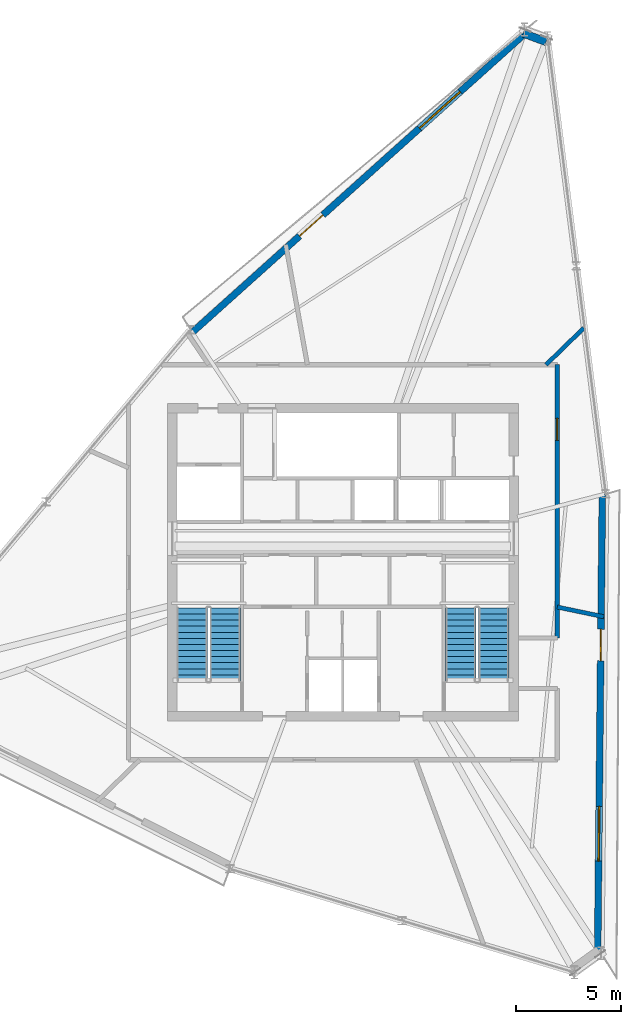
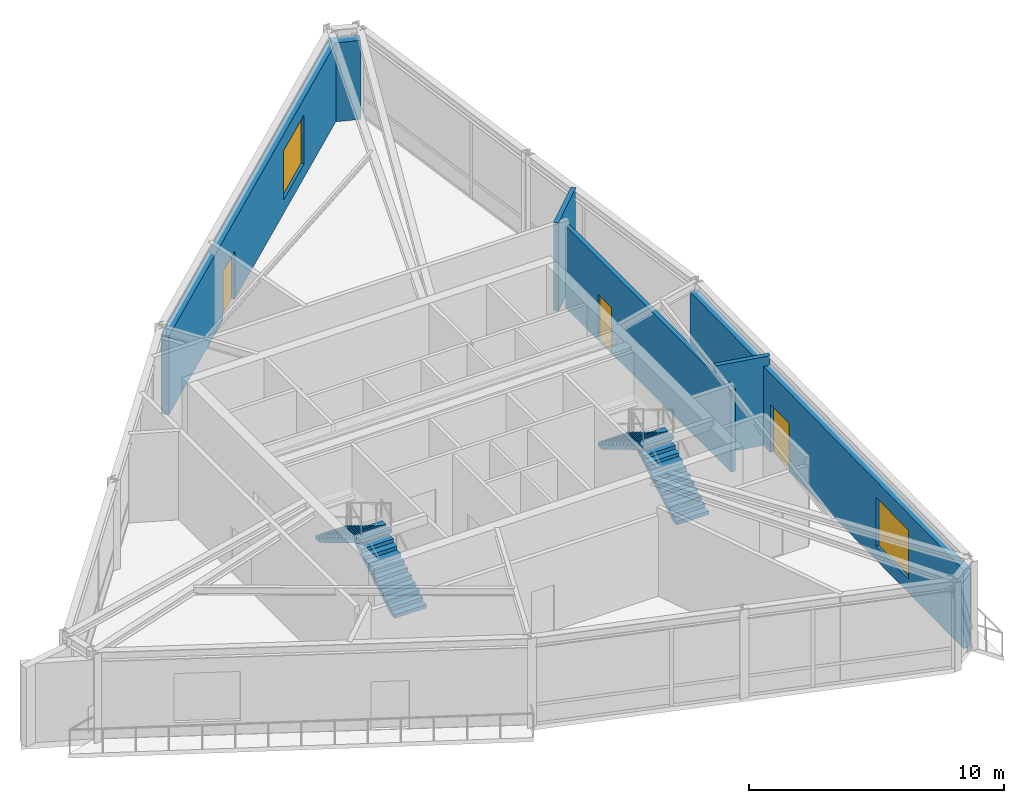
# One storey, part 20 of 23: 6 walls, 4 stair flights, 3 doors, 2 windows, 5 openings, 2 elements without a shape of their own.
"""IFC4 building model written with IfcOpenShell, lengths in metres."""

import ifcopenshell
import ifcopenshell.guid

model = None  # the IFC model being written
_history = None  # IfcOwnerHistory: only IFC2X3 demands one
_inside = {}  # id of a spatial element -> (the spatial element, [elements in it])
_under = {}  # id of a project, library or spatial element -> (it, [spatial elements below it])
_declared = {}  # id of a project -> (the project, [libraries it declares])
_typed = {}  # id of a type object -> (the type object, [elements of that type])
_made_of = {}  # id of a material, layer set ... -> (it, [elements and type objects made of it])


def new_model(schema):
    """Start an empty IFC model of exactly this schema.

    Asked for "IFC4X3", IfcOpenShell would pick the latest addendum, in which some entities
    have other attributes; the version numbers below select the first issue.
    IFC2X3 requires an IfcOwnerHistory on every rooted entity: one is made here for all.
    """
    global model, _history
    if schema == "IFC4X3":
        model = ifcopenshell.file(schema_version=(4, 3, 0, 0))
    else:
        model = ifcopenshell.file(schema=schema)
    _inside.clear()
    _under.clear()
    _declared.clear()
    _typed.clear()
    _made_of.clear()
    _history = None
    if model.schema == "IFC2X3":
        org = make("IfcOrganization", Name="unknown")
        user = make(
            "IfcPersonAndOrganization",
            ThePerson=make("IfcPerson", FamilyName="unknown"),
            TheOrganization=org,
        )
        app = make(
            "IfcApplication",
            ApplicationDeveloper=org,
            Version="unknown",
            ApplicationFullName="unknown",
            ApplicationIdentifier="unknown",
        )
        _history = make(
            "IfcOwnerHistory",
            OwningUser=user,
            OwningApplication=app,
            ChangeAction="ADDED",
            CreationDate=0,
        )
    return model


def make(cls, **values):
    """One entity of the class cls with the attributes given. An attribute that is None is left unset."""
    return model.create_entity(
        cls, **{name: value for name, value in values.items() if value is not None}
    )


def rooted(cls, **values):
    """An entity with a GlobalId (a new one), such as an element, a storey or a relation."""
    return make(cls, GlobalId=ifcopenshell.guid.new(), OwnerHistory=_history, **values)


def si_unit(unit_type, name, prefix=None):
    """IfcSIUnit, for example si_unit("LENGTHUNIT", "METRE", prefix="MILLI")."""
    return make("IfcSIUnit", UnitType=unit_type, Prefix=prefix, Name=name)


def assignment(units):
    """IfcUnitAssignment: the units of a project."""
    return None if units is None else make("IfcUnitAssignment", Units=units)


def point(xyz):
    """IfcCartesianPoint."""
    return None if xyz is None else make("IfcCartesianPoint", Coordinates=xyz)


def direction(xyz):
    """IfcDirection."""
    return None if xyz is None else make("IfcDirection", DirectionRatios=xyz)


def frame(location, z_axis=None, x_axis=None):
    """IfcAxis2Placement3D, a coordinate frame: its origin and axes. An axis left out is left unset."""
    return make(
        "IfcAxis2Placement3D",
        Location=point(location),
        Axis=direction(z_axis),
        RefDirection=direction(x_axis),
    )


def frame_2d(location, x_axis=None):
    """IfcAxis2Placement2D, a coordinate frame in the plane: its origin and x axis."""
    return make(
        "IfcAxis2Placement2D", Location=point(location), RefDirection=direction(x_axis)
    )


def origin():
    """The frame at (0, 0, 0) with its axes left unset."""
    return frame((0.0, 0.0, 0.0))


def place(relative_to, where):
    """IfcLocalPlacement: puts the frame where relative to a parent placement (None: the world)."""
    return make(
        "IfcLocalPlacement", PlacementRelTo=relative_to, RelativePlacement=where
    )


def context(
    kind, dimensions, precision=None, world=None, true_north=None, identifier=None
):
    """IfcGeometricRepresentationContext, for example the 3D "Model" context."""
    return make(
        "IfcGeometricRepresentationContext",
        ContextIdentifier=identifier,
        ContextType=kind,
        CoordinateSpaceDimension=dimensions,
        Precision=precision,
        WorldCoordinateSystem=world,
        TrueNorth=true_north,
    )


def subcontext(parent, identifier, kind, view, scale=None):
    """IfcGeometricRepresentationSubContext, for example "Body" below "Model"."""
    return make(
        "IfcGeometricRepresentationSubContext",
        ContextIdentifier=identifier,
        ContextType=kind,
        ParentContext=parent,
        TargetScale=scale,
        TargetView=view,
    )


def project(units=None, contexts=None):
    """IfcProject with its units and contexts."""
    return rooted(
        "IfcProject",
        Name="project",
        RepresentationContexts=contexts,
        UnitsInContext=assignment(units),
    )


def spatial(cls, under=None, at=None, **own):
    """A site, building, storey or space (cls), placed at a placement, below another one or the project."""
    s = rooted(cls, ObjectPlacement=at, **own)
    if under is not None:
        _under.setdefault(under.id(), (under, []))[1].append(s)
    return s


def polyline(points):
    """IfcPolyline through the points."""
    return make("IfcPolyline", Points=[point(p) for p in points])


def profile(cls, at=None, kind="AREA", **sizes):
    """A parametric profile (cls). Its sizes go by their IFC names, for example OverallWidth=200.0."""
    return make(cls, ProfileType=kind, Position=at, **sizes)


def rectangle(**sizes):
    """IfcRectangleProfileDef."""
    return profile("IfcRectangleProfileDef", **sizes)


def outline(outer, holes=None, kind="AREA"):
    """IfcArbitraryClosedProfileDef: a profile drawn as a closed curve; with holes, ...WithVoids."""
    if holes is None:
        return make("IfcArbitraryClosedProfileDef", ProfileType=kind, OuterCurve=outer)
    return make(
        "IfcArbitraryProfileDefWithVoids",
        ProfileType=kind,
        OuterCurve=outer,
        InnerCurves=holes,
    )


def extrude(swept, where, along, depth):
    """IfcExtrudedAreaSolid: the profile swept, set in the frame where, extruded along a direction by depth."""
    return make(
        "IfcExtrudedAreaSolid",
        SweptArea=swept,
        Position=where,
        ExtrudedDirection=direction(along),
        Depth=depth,
    )


def shape(context_of_items, identifier, shape_type, items):
    """IfcShapeRepresentation: the items that make up one representation, for example the "Body"."""
    return make(
        "IfcShapeRepresentation",
        ContextOfItems=context_of_items,
        RepresentationIdentifier=identifier,
        RepresentationType=shape_type,
        Items=items,
    )


def source(mapping_origin, context_of_items, identifier, shape_type, items):
    """IfcRepresentationMap: a shape defined once, which mapped items show again and again."""
    return make(
        "IfcRepresentationMap",
        MappingOrigin=mapping_origin,
        MappedRepresentation=shape(context_of_items, identifier, shape_type, items),
    )


def transform(
    local_origin,
    x_axis=None,
    y_axis=None,
    z_axis=None,
    scale=None,
    scale2=None,
    scale3=None,
    uniform=True,
):
    """IfcCartesianTransformationOperator3D, or its non-uniform kind. x_axis, y_axis, z_axis: its Axis1, 2, 3."""
    if uniform:
        return make(
            "IfcCartesianTransformationOperator3D",
            Axis1=direction(x_axis),
            Axis2=direction(y_axis),
            LocalOrigin=point(local_origin),
            Scale=scale,
            Axis3=direction(z_axis),
        )
    return make(
        "IfcCartesianTransformationOperator3DnonUniform",
        Axis1=direction(x_axis),
        Axis2=direction(y_axis),
        LocalOrigin=point(local_origin),
        Scale=scale,
        Axis3=direction(z_axis),
        Scale2=scale2,
        Scale3=scale3,
    )


def mapped(mapping_source, mapping_target):
    """IfcMappedItem: shows the shape of a source again, moved by a transform."""
    return make(
        "IfcMappedItem", MappingSource=mapping_source, MappingTarget=mapping_target
    )


def material(Name=None, Category=None):
    """IfcMaterial."""
    return make("IfcMaterial", Name=Name, Category=Category)


def layer(
    of_material, thickness, ventilated=None, Name=None, Category=None, Priority=None
):
    """IfcMaterialLayer: one layer of a wall or slab, of a material (None: an air gap)."""
    return make(
        "IfcMaterialLayer",
        Material=of_material,
        LayerThickness=thickness,
        IsVentilated=ventilated,
        Name=Name,
        Category=Category,
        Priority=Priority,
    )


def layer_set(layers, Name=None):
    """IfcMaterialLayerSet."""
    return make("IfcMaterialLayerSet", MaterialLayers=layers, LayerSetName=Name)


def made_of(thing, what):
    """Note that an element or type object is made of a material, layer set ...; save() writes the relation."""
    if what is not None:
        _made_of.setdefault(what.id(), (what, []))[1].append(thing)
    return thing


def type_object(cls, material=None, **own):
    """A type object (cls), such as IfcWallType, which elements share."""
    return made_of(rooted(cls, **own), material)


def type_shapes(of_type, sources):
    """Give a type object the sources (RepresentationMaps) that its elements show as mapped items."""
    of_type.RepresentationMaps = sources


def element(
    cls,
    number,
    at=None,
    inside=None,
    cuts=None,
    type_object=None,
    material=None,
    context=None,
    identifier="Body",
    shape_type=None,
    held_by="IfcProductDefinitionShape",
    body=None,
    shapes=None,
    **own,
):
    """One element of the class cls, such as IfcWall. Its Tag is "e" and its number.

    at: its placement. inside: the storey or other place that contains it. cuts: it is an
    opening in that element (IfcRelVoidsElement). A single representation is given by context,
    identifier, shape_type and body (its items); several are given by shapes. held_by: the class
    of the entity that holds the representations. save() writes the other relations.
    """
    e = rooted(cls, Tag="e%d" % number, ObjectPlacement=at, **own)
    if body is not None:
        shapes = [shape(context, identifier, shape_type, body)]
    if shapes is not None:
        e.Representation = make(held_by, Representations=shapes)
    if inside is not None:
        _inside.setdefault(inside.id(), (inside, []))[1].append(e)
    if cuts is not None:
        rooted(
            "IfcRelVoidsElement", RelatingBuildingElement=cuts, RelatedOpeningElement=e
        )
    if type_object is not None:
        _typed.setdefault(type_object.id(), (type_object, []))[1].append(e)
    return made_of(e, material)


def fill(opening, filler):
    """IfcRelFillsElement: the door or window that sits in an opening."""
    return rooted(
        "IfcRelFillsElement",
        RelatingOpeningElement=opening,
        RelatedBuildingElement=filler,
    )


def aggregate(whole, parts):
    """IfcRelAggregates: a whole, such as a stair, and the parts it consists of."""
    return rooted("IfcRelAggregates", RelatingObject=whole, RelatedObjects=parts)


def save(model, path):
    """Write the relations noted so far, then the file.

    IfcRelAggregates (storeys below a building ...), IfcRelContainedInSpatialStructure (elements
    in a storey), IfcRelDefinesByType, IfcRelAssociatesMaterial and IfcRelDeclares: one each for
    every whole, place, type object, material and project.
    """
    for whole, parts in _under.values():
        aggregate(whole, parts)
    for where, things in _inside.values():
        rooted(
            "IfcRelContainedInSpatialStructure",
            RelatedElements=things,
            RelatingStructure=where,
        )
    for kind, things in _typed.values():
        rooted("IfcRelDefinesByType", RelatedObjects=things, RelatingType=kind)
    for what, things in _made_of.values():
        rooted("IfcRelAssociatesMaterial", RelatedObjects=things, RelatingMaterial=what)
    for by, libraries in _declared.values():
        rooted("IfcRelDeclares", RelatingContext=by, RelatedDefinitions=libraries)
    model.write(path)


model = new_model("IFC4")

# Units and contexts
model_context = context("Model", 3, precision=1e-05, world=origin(), true_north=direction((0.0, 1.0)))
body_context = subcontext(model_context, "Body", "Model", "MODEL_VIEW")
ifc_project = project(units=[si_unit("LENGTHUNIT", "METRE"), si_unit("AREAUNIT", "SQUARE_METRE"), si_unit("VOLUMEUNIT", "CUBIC_METRE"), si_unit("PLANEANGLEUNIT", "RADIAN"), si_unit("MASSUNIT", "GRAM", prefix="KILO")], contexts=[model_context])

# Site, building, storey
site_placement = place(None, origin())
site = spatial("IfcSite", under=ifc_project, at=site_placement, CompositionType="ELEMENT")
building_placement = place(site_placement, origin())
building = spatial("IfcBuilding", under=site, at=building_placement, Name="Olszyna Solenne Hotel", CompositionType="ELEMENT")
storey_placement = place(building_placement, frame((0.0, 0.0, 290.5)))
storey = spatial("IfcBuildingStorey", under=building, at=storey_placement, Name="L77", CompositionType="ELEMENT", Elevation=290.5)

# Wall, openings, door, window
ifc_material_1 = material(Name="Precast concrete C45/55", Category="concrete")
ifc_layer_1 = layer(ifc_material_1, 0.320068359375, Name="Precast concrete C45/55")
ifc_layer_set_1 = layer_set([ifc_layer_1], Name="Precast concrete C45/55")
wall_type_1 = type_object("IfcWallType", Name="WL-EX320", PredefinedType="SOLIDWALL", material=ifc_layer_set_1)
wall_1_placement = place(storey_placement, frame((50.342041015625, 29.8583984375, 0.0), z_axis=(0.0, 0.0, 1.0), x_axis=(-0.010207538584, -0.999947901721, 0.0)))
wall_1 = element("IfcWall", 1, at=wall_1_placement, inside=storey, type_object=wall_type_1, Name="Exterior terracotta-precast frame wall WL-EX320 EW-L77-01", PredefinedType="SOLIDWALL", context=body_context, shape_type="SweptSolid", body=[
    extrude(rectangle(XDim=21.86083984375, YDim=0.320068359375, at=frame_2d((10.930419921875, 0.0))), origin(), (0.0, 0.0, 1.0), 3.781982421875),
])
opening_1_placement = place(wall_1_placement, frame((6.445068359375, 0.0, 0.0)))
opening_1 = element("IfcOpeningElement", 2, at=opening_1_placement, cuts=wall_1, Name="Opening LDG-L77-3", PredefinedType="OPENING", context=body_context, shape_type="SweptSolid", body=[
    extrude(rectangle(XDim=1.5, YDim=2.300048828125, at=frame_2d((0.75, 1.14990234375))), frame((0.0, 0.169921875, 0.0), z_axis=(0.0, -1.0, 0.0), x_axis=(1.0, 0.0, 0.0)), (0.0, 0.0, 1.0), 0.340087890625),
])
opening_2_placement = place(wall_1_placement, frame((14.876953125, 0.0, 0.64990234375)))
opening_2 = element("IfcOpeningElement", 3, at=opening_2_placement, cuts=wall_1, Name="Opening WN-L77-503", PredefinedType="OPENING", context=body_context, shape_type="SweptSolid", body=[
    extrude(rectangle(XDim=2.60009765625, YDim=2.35009765625, at=frame_2d((1.300048828125, 1.175048828125))), frame((0.0, 0.169921875, 0.0), z_axis=(0.0, -1.0, 0.0), x_axis=(1.0, 0.0, 0.0)), (0.0, 0.0, 1.0), 0.340087890625),
])
ifc_material_2 = material(Name="Anodised bronze aluminium", Category="aluminium")
door_type_1 = type_object("IfcDoorType", Name="DR-LG2", OperationType="DOUBLE_DOOR_SINGLE_SWING", PredefinedType="DOOR", material=ifc_material_2)
shared_shape_1 = source(origin(), body_context, "Body", "SweptSolid", [
    extrude(rectangle(XDim=1.5, YDim=2.300048828125, at=frame_2d((0.75, 1.14990234375))), frame((0.0, 0.02490234375, 0.0), z_axis=(0.0, -1.0, 0.0), x_axis=(1.0, 0.0, 0.0)), (0.0, 0.0, 1.0), 0.050048828125),
])
type_shapes(door_type_1, [shared_shape_1])
door_1_placement = place(opening_1_placement, origin())
door_1 = element("IfcDoor", 4, at=door_1_placement, inside=storey, type_object=door_type_1, Name="Exterior loggia balcony door DR-LG2 LDG-L77-3", OperationType="DOUBLE_DOOR_SINGLE_SWING", OverallHeight=2.300048828125, OverallWidth=1.5, PredefinedType="DOOR", context=body_context, shape_type="MappedRepresentation", body=[
    mapped(shared_shape_1, transform((0.0, 0.0, 0.0), x_axis=(1.0, 0.0, 0.0), y_axis=(0.0, 1.0, 0.0), z_axis=(0.0, 0.0, 1.0), scale=1.0)),
])
fill(opening_1, door_1)
ifc_material_3 = material(Name="Low-E triple glazing", Category="glass")
window_type = type_object("IfcWindowType", Name="WN-ST1", PartitioningType="SINGLE_PANEL", PredefinedType="WINDOW", material=ifc_material_3)
shared_shape_2 = source(origin(), body_context, "Body", "SweptSolid", [
    extrude(rectangle(XDim=2.60009765625, YDim=2.35009765625, at=frame_2d((1.300048828125, 1.175048828125))), frame((0.0, 0.030029296875, 0.0), z_axis=(0.0, -1.0, 0.0), x_axis=(1.0, 0.0, 0.0)), (0.0, 0.0, 1.0), 0.06005859375),
])
type_shapes(window_type, [shared_shape_2])
window_1_placement = place(opening_2_placement, origin())
window_1 = element("IfcWindow", 5, at=window_1_placement, inside=storey, type_object=window_type, Name="Loggia room window WN-ST1 WN-L77-503", OverallHeight=2.35009765625, OverallWidth=2.60009765625, PartitioningType="SINGLE_PANEL", PredefinedType="WINDOW", context=body_context, shape_type="MappedRepresentation", body=[
    mapped(shared_shape_2, transform((0.0, 0.0, 0.0), x_axis=(1.0, 0.0, 0.0), y_axis=(0.0, 1.0, 0.0), z_axis=(0.0, 0.0, 1.0), scale=1.0)),
])
fill(opening_2, window_1)

wall_2_placement = place(storey_placement, frame((30.846923828125, 37.549072265625, 0.0), z_axis=(0.0, 0.0, 1.0), x_axis=(0.743983447959, 0.668198046363, 0.0)))
wall_2 = element("IfcWall", 6, at=wall_2_placement, inside=storey, type_object=wall_type_1, Name="Exterior terracotta-precast frame wall WL-EX320 EW-L77-08", PredefinedType="SOLIDWALL", context=body_context, shape_type="SweptSolid", body=[
    extrude(rectangle(XDim=21.367919921875, YDim=0.320068359375, at=frame_2d((10.68408203125, 0.0))), origin(), (0.0, 0.0, 1.0), 3.781982421875),
])
opening_3_placement = place(wall_2_placement, frame((6.837890625, 0.0, 0.0)))
opening_3 = element("IfcOpeningElement", 7, at=opening_3_placement, cuts=wall_2, Name="Opening LDG-L77-1", PredefinedType="OPENING", context=body_context, shape_type="SweptSolid", body=[
    extrude(rectangle(XDim=1.5, YDim=2.300048828125, at=frame_2d((0.75, 1.14990234375))), frame((0.0, 0.169921875, 0.0), z_axis=(0.0, -1.0, 0.0), x_axis=(1.0, 0.0, 0.0)), (0.0, 0.0, 1.0), 0.340087890625),
])
opening_4_placement = place(wall_2_placement, frame((14.511962890625, 0.0, 0.64990234375)))
opening_4 = element("IfcOpeningElement", 8, at=opening_4_placement, cuts=wall_2, Name="Opening WN-L77-505", PredefinedType="OPENING", context=body_context, shape_type="SweptSolid", body=[
    extrude(rectangle(XDim=2.60009765625, YDim=2.35009765625, at=frame_2d((1.300048828125, 1.175048828125))), frame((0.0, 0.169921875, 0.0), z_axis=(0.0, -1.0, 0.0), x_axis=(1.0, 0.0, 0.0)), (0.0, 0.0, 1.0), 0.340087890625),
])
door_2_placement = place(opening_3_placement, origin())
door_2 = element("IfcDoor", 9, at=door_2_placement, inside=storey, type_object=door_type_1, Name="Exterior loggia balcony door DR-LG2 LDG-L77-1", OperationType="DOUBLE_DOOR_SINGLE_SWING", OverallHeight=2.300048828125, OverallWidth=1.5, PredefinedType="DOOR", context=body_context, shape_type="MappedRepresentation", body=[
    mapped(shared_shape_1, transform((0.0, 0.0, 0.0), x_axis=(1.0, 0.0, 0.0), y_axis=(0.0, 1.0, 0.0), z_axis=(0.0, 0.0, 1.0), scale=1.0)),
])
fill(opening_3, door_2)
window_2_placement = place(opening_4_placement, origin())
window_2 = element("IfcWindow", 10, at=window_2_placement, inside=storey, type_object=window_type, Name="Loggia room window WN-ST1 WN-L77-505", OverallHeight=2.35009765625, OverallWidth=2.60009765625, PartitioningType="SINGLE_PANEL", PredefinedType="WINDOW", context=body_context, shape_type="MappedRepresentation", body=[
    mapped(shared_shape_2, transform((0.0, 0.0, 0.0), x_axis=(1.0, 0.0, 0.0), y_axis=(0.0, 1.0, 0.0), z_axis=(0.0, 0.0, 1.0), scale=1.0)),
])
fill(opening_4, window_2)

# Walls
ifc_material_4 = material(Name="Terracotta cladding on precast concrete C45/55", Category="masonry")
ifc_layer_2 = layer(ifc_material_4, 0.3798828125, Name="Terracotta cladding on precast concrete C45/55")
ifc_layer_set_2 = layer_set([ifc_layer_2], Name="Terracotta cladding on precast concrete C45/55")
wall_type_2 = type_object("IfcWallType", Name="WL-EX380", PredefinedType="SOLIDWALL", material=ifc_layer_set_2)
wall_3_placement = place(storey_placement, frame((46.571533203125, 51.76806640625, 0.0), z_axis=(0.0, 0.0, 1.0), x_axis=(0.937597063116, -0.347723665052, 0.0)))
element("IfcWall", 11, at=wall_3_placement, inside=storey, type_object=wall_type_2, Name="Exterior terracotta-precast frame wall WL-EX380 EW-L77-09", PredefinedType="SOLIDWALL", context=body_context, shape_type="SweptSolid", body=[
    extrude(rectangle(XDim=1.16552734375, YDim=0.3798828125, at=frame_2d((0.582763671875, 0.0))), origin(), (0.0, 0.0, 1.0), 3.781982421875),
])
ifc_material_5 = material(Name="Acoustic gypsum partition", Category="gypsum")
ifc_layer_3 = layer(ifc_material_5, 0.199951171875, Name="Acoustic gypsum partition")
ifc_layer_set_3 = layer_set([ifc_layer_3], Name="Acoustic gypsum partition")
wall_type_3 = type_object("IfcWallType", Name="WL-PT200", PredefinedType="PARTITIONING", material=ifc_layer_set_3)
wall_4_placement = place(storey_placement, frame((48.199951171875, 24.468994140625, 0.0), z_axis=(0.0, 0.0, 1.0), x_axis=(0.978870641426, -0.204480481596, 0.0)))
element("IfcWall", 12, at=wall_4_placement, inside=storey, type_object=wall_type_3, Name="Interior acoustic partition WL-PT200 PW-L77-4186", PredefinedType="PARTITIONING", context=body_context, shape_type="SweptSolid", body=[
    extrude(rectangle(XDim=2.26025390625, YDim=0.199951171875, at=frame_2d((1.130126953125, 0.0))), origin(), (0.0, 0.0, 1.0), 4.239990234375),
])
wall_5_placement = place(storey_placement, frame((47.666259765625, 36.0, 0.0), z_axis=(0.0, 0.0, 1.0), x_axis=(0.716875909167, 0.697200782312, 0.0)))
element("IfcWall", 13, at=wall_5_placement, inside=storey, type_object=wall_type_3, Name="Interior acoustic partition WL-PT200 PW-L77-4187", PredefinedType="PARTITIONING", context=body_context, shape_type="SweptSolid", body=[
    extrude(rectangle(XDim=2.506591796875, YDim=0.199951171875, at=frame_2d((1.25341796875, 0.0))), origin(), (0.0, 0.0, 1.0), 4.239990234375),
])

# Wall, opening, door
wall_6_placement = place(storey_placement, frame((48.199951171875, 23.0, 0.0), z_axis=(0.0, 0.0, 1.0), x_axis=(0.0, 1.0, 0.0)))
wall_6 = element("IfcWall", 14, at=wall_6_placement, inside=storey, type_object=wall_type_3, Name="Interior acoustic partition WL-PT200 PW-L77-4195", PredefinedType="PARTITIONING", context=body_context, shape_type="SweptSolid", body=[
    extrude(rectangle(XDim=13.0, YDim=0.199951171875, at=frame_2d((6.5, 0.0))), origin(), (0.0, 0.0, 1.0), 3.925048828125),
])
opening_5_placement = place(wall_6_placement, frame((9.39306640625, 0.0, 0.0)))
opening_5 = element("IfcOpeningElement", 15, at=opening_5_placement, cuts=wall_6, Name="Opening DR-L77-1014", PredefinedType="OPENING", context=body_context, shape_type="SweptSolid", body=[
    extrude(rectangle(XDim=1.050048828125, YDim=2.199951171875, at=frame_2d((0.52490234375, 1.10009765625))), frame((0.0, 0.10986328125, 0.0), z_axis=(0.0, -1.0, 0.0), x_axis=(1.0, 0.0, 0.0)), (0.0, 0.0, 1.0), 0.219970703125),
])
ifc_material_6 = material(Name="Timber hardwood", Category="wood")
door_type_2 = type_object("IfcDoorType", Name="DR-RM2", OperationType="NOTDEFINED", PredefinedType="DOOR", material=ifc_material_6)
shared_shape_3 = source(origin(), body_context, "Body", "SweptSolid", [
    extrude(rectangle(XDim=1.050048828125, YDim=2.199951171875, at=frame_2d((0.52490234375, 1.10009765625))), frame((0.0, 0.02490234375, 0.0), z_axis=(0.0, -1.0, 0.0), x_axis=(1.0, 0.0, 0.0)), (0.0, 0.0, 1.0), 0.050048828125),
])
type_shapes(door_type_2, [shared_shape_3])
door_3_placement = place(opening_5_placement, origin())
door_3 = element("IfcDoor", 16, at=door_3_placement, inside=storey, type_object=door_type_2, Name="Skywalk Champagne Lounge Entrance Door DR-L77-1014", OperationType="SINGLE_SWING_LEFT", OverallHeight=2.199951171875, OverallWidth=1.050048828125, PredefinedType="DOOR", context=body_context, shape_type="MappedRepresentation", body=[
    mapped(shared_shape_3, transform((0.0, 0.0, 0.0), x_axis=(1.0, 0.0, 0.0), y_axis=(0.0, 1.0, 0.0), z_axis=(0.0, 0.0, 1.0), scale=1.0)),
])
fill(opening_5, door_3)

# Stair, stair flights
ifc_material_7 = material(Name="Concrete C40/50", Category="concrete")
stair_type = type_object("IfcStairType", Name="STR-C1", PredefinedType="TWO_QUARTER_WINDING_STAIR", material=ifc_material_7)
stair_1_placement = place(storey_placement, origin())
stair_1 = element("IfcStair", 17, at=stair_1_placement, inside=storey, type_object=stair_type, Name="L77 ST1", PredefinedType="TWO_QUARTER_WINDING_STAIR")
stair_flight_type = type_object("IfcStairFlightType", Name="FLT-C1", PredefinedType="STRAIGHT", material=ifc_material_7)
stair_flight_1_placement = place(storey_placement, frame((32.39501953125, 20.949951171875, 0.0), z_axis=(0.0, 0.0, 1.0), x_axis=(0.0, 1.0, 0.0)))
stair_flight_1 = element("IfcStairFlight", 18, at=stair_flight_1_placement, type_object=stair_flight_type, Name="ST1 flight 1", NumberOfRisers=13, NumberOfTreads=12, PredefinedType="STRAIGHT", RiserHeight=0.173076923, TreadLength=0.29, context=body_context, shape_type="SweptSolid", body=[
    extrude(outline(polyline([(0.0, 0.0), (0.0, 0.173095703125), (0.2900390625, 0.173095703125), (0.2900390625, 0.34619140625), (0.580078125, 0.34619140625), (0.580078125, 0.519287109375), (0.8701171875, 0.519287109375), (0.8701171875, 0.6923828125), (1.159912109375, 0.6923828125), (1.159912109375, 0.865478515625), (1.449951171875, 0.865478515625), (1.449951171875, 1.03857421875), (1.739990234375, 1.03857421875), (1.739990234375, 1.21142578125), (2.030029296875, 1.21142578125), (2.030029296875, 1.384521484375), (2.320068359375, 1.384521484375), (2.320068359375, 1.5576171875), (2.610107421875, 1.5576171875), (2.610107421875, 1.730712890625), (2.89990234375, 1.730712890625), (2.89990234375, 1.90380859375), (3.18994140625, 1.90380859375), (3.18994140625, 2.076904296875), (3.47998046875, 2.076904296875), (3.47998046875, 2.25), (3.47998046875, 1.90234375), (0.29248046875, 0.0), (0.0, 0.0)])), frame((0.0, 0.72509765625, 0.0), z_axis=(0.0, -1.0, 0.0), x_axis=(1.0, 0.0, 0.0)), (0.0, 0.0, 1.0), 1.449951171875),
])
stair_flight_2_placement = place(storey_placement, frame((30.824951171875, 24.429931640625, 2.25), z_axis=(0.0, 0.0, 1.0), x_axis=(0.0, -1.0, 0.0)))
stair_flight_2 = element("IfcStairFlight", 19, at=stair_flight_2_placement, type_object=stair_flight_type, Name="ST1 flight 2", NumberOfRisers=13, NumberOfTreads=12, PredefinedType="STRAIGHT", RiserHeight=0.173076923, TreadLength=0.29, context=body_context, shape_type="SweptSolid", body=[
    extrude(outline(polyline([(0.0, 0.0), (0.0, 0.173095703125), (0.2900390625, 0.173095703125), (0.2900390625, 0.34619140625), (0.580078125, 0.34619140625), (0.580078125, 0.519287109375), (0.8701171875, 0.519287109375), (0.8701171875, 0.6923828125), (1.159912109375, 0.6923828125), (1.159912109375, 0.865478515625), (1.449951171875, 0.865478515625), (1.449951171875, 1.03857421875), (1.739990234375, 1.03857421875), (1.739990234375, 1.21142578125), (2.030029296875, 1.21142578125), (2.030029296875, 1.384521484375), (2.320068359375, 1.384521484375), (2.320068359375, 1.5576171875), (2.610107421875, 1.5576171875), (2.610107421875, 1.730712890625), (2.89990234375, 1.730712890625), (2.89990234375, 1.90380859375), (3.18994140625, 1.90380859375), (3.18994140625, 2.076904296875), (3.47998046875, 2.076904296875), (3.47998046875, 2.25), (3.47998046875, 1.90234375), (0.29248046875, 0.0), (0.0, 0.0)])), frame((0.0, 0.72509765625, 0.0), z_axis=(0.0, -1.0, 0.0), x_axis=(1.0, 0.0, 0.0)), (0.0, 0.0, 1.0), 1.449951171875),
])
aggregate(stair_1, [stair_flight_1, stair_flight_2])

stair_2_placement = place(storey_placement, origin())
stair_2 = element("IfcStair", 20, at=stair_2_placement, inside=storey, type_object=stair_type, Name="L77 ST2", PredefinedType="TWO_QUARTER_WINDING_STAIR")
stair_flight_3_placement = place(storey_placement, frame((45.175048828125, 20.949951171875, 0.0), z_axis=(0.0, 0.0, 1.0), x_axis=(0.0, 1.0, 0.0)))
stair_flight_3 = element("IfcStairFlight", 21, at=stair_flight_3_placement, type_object=stair_flight_type, Name="ST2 flight 1", NumberOfRisers=13, NumberOfTreads=12, PredefinedType="STRAIGHT", RiserHeight=0.173076923, TreadLength=0.29, context=body_context, shape_type="SweptSolid", body=[
    extrude(outline(polyline([(0.0, 0.0), (0.0, 0.173095703125), (0.2900390625, 0.173095703125), (0.2900390625, 0.34619140625), (0.580078125, 0.34619140625), (0.580078125, 0.519287109375), (0.8701171875, 0.519287109375), (0.8701171875, 0.6923828125), (1.159912109375, 0.6923828125), (1.159912109375, 0.865478515625), (1.449951171875, 0.865478515625), (1.449951171875, 1.03857421875), (1.739990234375, 1.03857421875), (1.739990234375, 1.21142578125), (2.030029296875, 1.21142578125), (2.030029296875, 1.384521484375), (2.320068359375, 1.384521484375), (2.320068359375, 1.5576171875), (2.610107421875, 1.5576171875), (2.610107421875, 1.730712890625), (2.89990234375, 1.730712890625), (2.89990234375, 1.90380859375), (3.18994140625, 1.90380859375), (3.18994140625, 2.076904296875), (3.47998046875, 2.076904296875), (3.47998046875, 2.25), (3.47998046875, 1.90234375), (0.29248046875, 0.0), (0.0, 0.0)])), frame((0.0, 0.72509765625, 0.0), z_axis=(0.0, -1.0, 0.0), x_axis=(1.0, 0.0, 0.0)), (0.0, 0.0, 1.0), 1.449951171875),
])
stair_flight_4_placement = place(storey_placement, frame((43.60498046875, 24.429931640625, 2.25), z_axis=(0.0, 0.0, 1.0), x_axis=(0.0, -1.0, 0.0)))
stair_flight_4 = element("IfcStairFlight", 22, at=stair_flight_4_placement, type_object=stair_flight_type, Name="ST2 flight 2", NumberOfRisers=13, NumberOfTreads=12, PredefinedType="STRAIGHT", RiserHeight=0.173076923, TreadLength=0.29, context=body_context, shape_type="SweptSolid", body=[
    extrude(outline(polyline([(0.0, 0.0), (0.0, 0.173095703125), (0.2900390625, 0.173095703125), (0.2900390625, 0.34619140625), (0.580078125, 0.34619140625), (0.580078125, 0.519287109375), (0.8701171875, 0.519287109375), (0.8701171875, 0.6923828125), (1.159912109375, 0.6923828125), (1.159912109375, 0.865478515625), (1.449951171875, 0.865478515625), (1.449951171875, 1.03857421875), (1.739990234375, 1.03857421875), (1.739990234375, 1.21142578125), (2.030029296875, 1.21142578125), (2.030029296875, 1.384521484375), (2.320068359375, 1.384521484375), (2.320068359375, 1.5576171875), (2.610107421875, 1.5576171875), (2.610107421875, 1.730712890625), (2.89990234375, 1.730712890625), (2.89990234375, 1.90380859375), (3.18994140625, 1.90380859375), (3.18994140625, 2.076904296875), (3.47998046875, 2.076904296875), (3.47998046875, 2.25), (3.47998046875, 1.90234375), (0.29248046875, 0.0), (0.0, 0.0)])), frame((0.0, 0.72509765625, 0.0), z_axis=(0.0, -1.0, 0.0), x_axis=(1.0, 0.0, 0.0)), (0.0, 0.0, 1.0), 1.449951171875),
])
aggregate(stair_2, [stair_flight_3, stair_flight_4])

save(model, "model.ifc")
